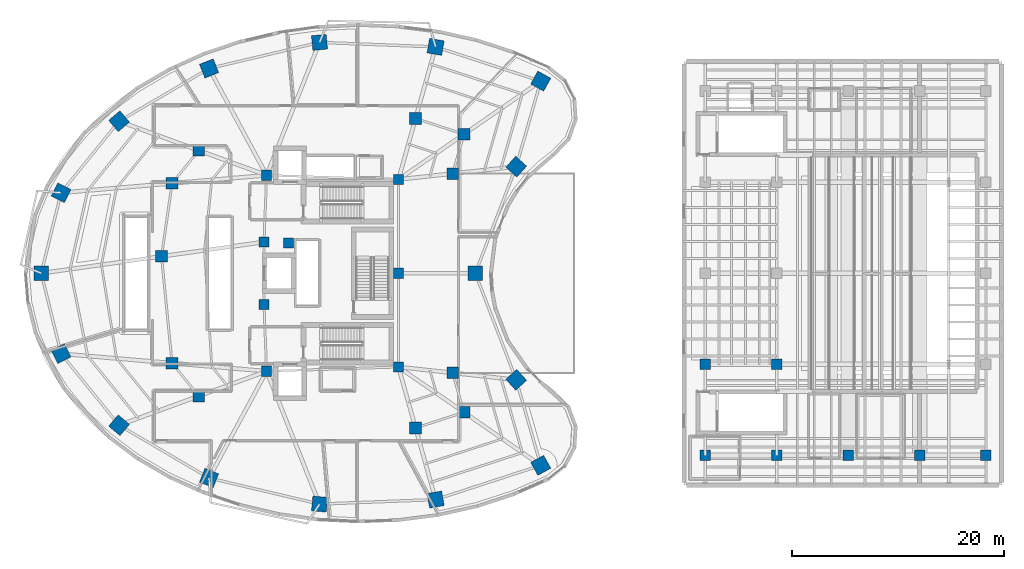
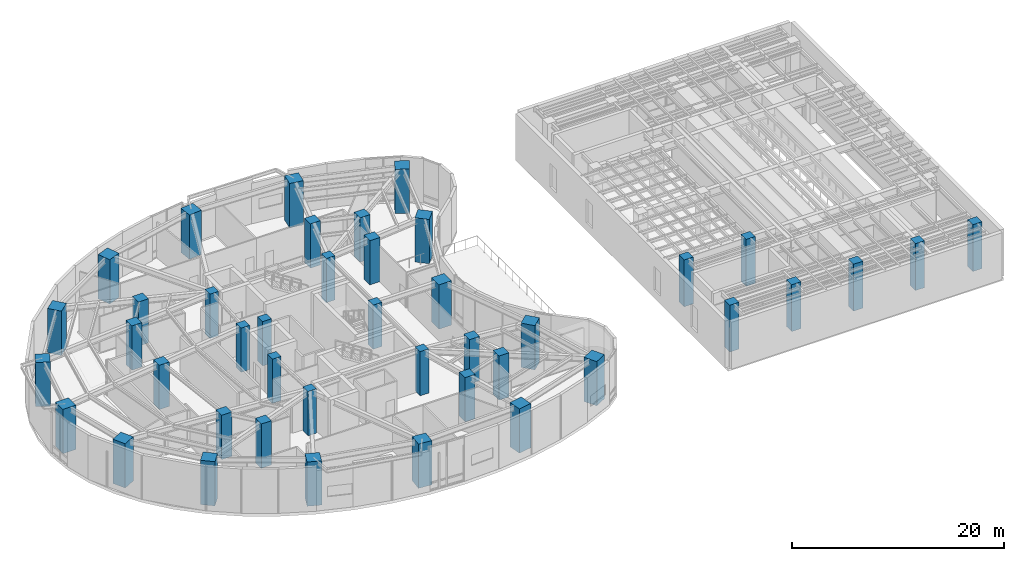
# One storey, part 1 of 19: 42 columns.
"""IFC4 building model written with IfcOpenShell, lengths in metres."""

from ifc_helpers import new_model, si_unit, direction, frame, origin, origin_2d, place, context, subcontext, project, spatial, rectangle, extrude, material, material_profile, profile_set, type_object, element, save


model = new_model("IFC4")

# Units and contexts
model_context = context("Model", 3, precision=1e-05, world=origin(), true_north=direction((0.0, 1.0)))
body_context = subcontext(model_context, "Body", "Model", "MODEL_VIEW")
ifc_project = project(units=[si_unit("LENGTHUNIT", "METRE"), si_unit("AREAUNIT", "SQUARE_METRE"), si_unit("VOLUMEUNIT", "CUBIC_METRE"), si_unit("PLANEANGLEUNIT", "RADIAN"), si_unit("MASSUNIT", "GRAM", prefix="KILO")], contexts=[model_context])

# Site, building, storey
site_placement = place(None, origin())
site = spatial("IfcSite", under=ifc_project, at=site_placement, CompositionType="ELEMENT")
building_placement = place(site_placement, origin())
building = spatial("IfcBuilding", under=site, at=building_placement, Name="Korentha Bioscience Tower", CompositionType="ELEMENT")
storey_placement = place(building_placement, frame((0.0, 0.0, 20.39990234375)))
storey = spatial("IfcBuildingStorey", under=building, at=storey_placement, Name="L04", CompositionType="ELEMENT", Elevation=20.39990234375)

# Columns
ifc_material_1 = material(Name="Concrete C65", Category="concrete")
ifc_material_profile_1 = material_profile(ifc_material_1, rectangle(XDim=0.949951171875, YDim=0.949951171875, at=origin_2d()), Name="Concrete C65")
ifc_profile_set_1 = profile_set([ifc_material_profile_1], Name="Concrete C65 (COL-CP09)")
column_type_1 = type_object("IfcColumnType", Name="Core Pilaster Column RC 950x950", PredefinedType="PILASTER", material=ifc_profile_set_1)
for number, where, z_axis, x_axis, name in (
    (1, (37.550048828125, 35.85009765625, -0.00048828125), (0.0, 0.0, 1.0), (1.0, 0.0, 0.0), "L04 Core Pilaster CP-01"),
    (2, (25.10009765625, 36.25, -0.00048828125), (0.0, 0.0, 1.0), (1.0, 0.0, 0.0), "L04 Core Pilaster CP-02"),
    (3, (24.85009765625, 29.949951171875, -0.00048828125), (0.0, 0.0, 1.0), (1.0, 0.0, 0.0), "L04 Core Pilaster CP-03"),
    (4, (27.14990234375, 29.85009765625, -0.00048828125), (0.0, 0.0, 1.0), (1.0, 0.0, 0.0), "L04 Core Pilaster CP-04"),
    (5, (24.85009765625, 24.050048828125, -0.00048828125), (0.0, 0.0, 1.0), (1.0, 0.0, 0.0), "L04 Core Pilaster CP-05"),
    (6, (25.10009765625, 17.75, -0.00048828125), (0.0, 0.0, 1.0), (1.0, 0.0, 0.0), "L04 Core Pilaster CP-06"),
    (7, (37.550048828125, 18.14990234375, -0.00048828125), (0.0, 0.0, 1.0), (1.0, 0.0, 0.0), "L04 Core Pilaster CP-07"),
    (8, (37.550048828125, 27.0, -0.00048828125), (0.0, 0.0, 1.0), (1.0, 0.0, 0.0), "L04 Core Pilaster CP-08"),
):
    element("IfcColumn", number, at=place(storey_placement, frame(where, z_axis=z_axis, x_axis=x_axis)), inside=storey, type_object=column_type_1, Name=name, PredefinedType="PILASTER", context=body_context, shape_type="SweptSolid", body=[
        extrude(rectangle(XDim=0.949951171875, YDim=0.949951171875, at=origin_2d()), origin(), (0.0, 0.0, 1.0), 5.10107421875),
    ])
ifc_material_2 = material(Name="Concrete C80", Category="concrete")
ifc_material_profile_2 = material_profile(ifc_material_2, rectangle(XDim=1.10009765625, YDim=1.10009765625, at=origin_2d()), Name="Concrete C80")
ifc_profile_set_2 = profile_set([ifc_material_profile_2], Name="Concrete C80 (COL-MR11)")
column_type_2 = type_object("IfcColumnType", Name="Mid-Ring Lab Column RC 1100x1100", PredefinedType="COLUMN", material=ifc_profile_set_2)
for number, where, z_axis, x_axis, name in (
    (9, (43.7265625, 40.121337890625, -0.00048828125), (0.0, 0.0, 1.0), (1.0, 0.0, 0.0), "L04 Mid-Ring Column 01"),
    (10, (39.1611328125, 41.607666015625, -0.00048828125), (0.0, 0.0, 1.0), (1.0, 0.0, 0.0), "L04 Mid-Ring Column 02"),
    (11, (18.692138671875, 38.5947265625, -0.00048828125), (0.0, 0.0, 1.0), (1.0, 0.0, 0.0), "L04 Mid-Ring Column 05"),
    (12, (16.174072265625, 35.489013671875, -0.00048828125), (0.0, 0.0, 1.0), (1.0, 0.0, 0.0), "L04 Mid-Ring Column 06"),
    (13, (15.1787109375, 28.593505859375, -0.00048828125), (0.0, 0.0, 1.0), (1.0, 0.0, 0.0), "L04 Mid-Ring Column 07"),
    (14, (16.174072265625, 18.510986328125, -0.00048828125), (0.0, 0.0, 1.0), (1.0, 0.0, 0.0), "L04 Mid-Ring Column 08"),
    (15, (18.692138671875, 15.4052734375, -0.00048828125), (0.0, 0.0, 1.0), (1.0, 0.0, 0.0), "L04 Mid-Ring Column 09"),
    (16, (39.1611328125, 12.392333984375, -0.00048828125), (0.0, 0.0, 1.0), (1.0, 0.0, 0.0), "L04 Mid-Ring Column 12"),
    (17, (43.7265625, 13.878662109375, -0.00048828125), (0.0, 0.0, 1.0), (1.0, 0.0, 0.0), "L04 Mid-Ring Column 13"),
    (18, (42.66162109375, 17.593017578125, -0.00048828125), (0.0, 0.0, 1.0), (1.0, 0.0, 0.0), "L04 Mid-Ring Column 14"),
    (19, (42.66162109375, 36.406982421875, -0.00048828125), (0.0, 0.0, 1.0), (1.0, 0.0, 0.0), "L04 Mid-Ring Column 16"),
):
    element("IfcColumn", number, at=place(storey_placement, frame(where, z_axis=z_axis, x_axis=x_axis)), inside=storey, type_object=column_type_2, Name=name, PredefinedType="COLUMN", context=body_context, shape_type="SweptSolid", body=[
        extrude(rectangle(XDim=1.10009765625, YDim=1.10009765625, at=origin_2d()), origin(), (0.0, 0.0, 1.0), 5.10107421875),
    ])
ifc_material_profile_3 = material_profile(ifc_material_2, rectangle(XDim=1.39990234375, YDim=1.39990234375, at=origin_2d()), Name="Concrete C80")
ifc_profile_set_3 = profile_set([ifc_material_profile_3], Name="Concrete C80 (COL-P14)")
column_type_3 = type_object("IfcColumnType", Name="Perimeter Column RC 1400x1400", PredefinedType="COLUMN", material=ifc_profile_set_3)
for number, where, z_axis, x_axis, name in (
    (20, (50.977294921875, 45.135498046875, -0.00048828125), (0.0, 0.0, 1.0), (-0.874535078577, 0.484962262797, 0.0), "L04 Perimeter Column 01"),
    (21, (41.052490234375, 48.36669921875, -0.00048828125), (0.0, 0.0, 1.0), (-0.984868307662, 0.173304404339, 0.0), "L04 Perimeter Column 02"),
    (22, (30.09423828125, 48.79248046875, -0.00048828125), (0.0, 0.0, 1.0), (0.995462868748, 0.095150811579, 0.0), "L04 Perimeter Column 03"),
    (23, (19.66650390625, 46.328857421875, -0.00048828125), (0.0, 0.0, 1.0), (0.930225540858, 0.366988341962, 0.0), "L04 Perimeter Column 04"),
    (24, (11.169921875, 41.34716796875, -0.00048828125), (0.0, 0.0, 1.0), (0.764246456939, 0.644924300253, 0.0), "L04 Perimeter Column 05"),
    (25, (5.69580078125, 34.595703125, -0.00048828125), (0.0, 0.0, 1.0), (0.453057191132, 0.891481453292, 0.0), "L04 Perimeter Column 06"),
    (26, (3.825439453125, 27.000732421875, -0.00048828125), (0.0, 0.0, 1.0), (0.0, 1.0, 0.0), "L04 Perimeter Column 07"),
    (27, (5.69580078125, 19.404296875, -0.00048828125), (0.0, 0.0, 1.0), (-0.453057191132, 0.891481453292, 0.0), "L04 Perimeter Column 08"),
    (28, (11.169921875, 12.65283203125, -0.00048828125), (0.0, 0.0, 1.0), (-0.764246456939, 0.644924300253, 0.0), "L04 Perimeter Column 09"),
    (29, (19.66650390625, 7.671142578125, -0.00048828125), (0.0, 0.0, 1.0), (-0.930225540858, 0.366988341962, 0.0), "L04 Perimeter Column 10"),
    (30, (30.09423828125, 5.20751953125, -0.00048828125), (0.0, 0.0, 1.0), (-0.995462868748, 0.095150811579, 0.0), "L04 Perimeter Column 11"),
    (31, (41.052490234375, 5.63330078125, -0.00048828125), (0.0, 0.0, 1.0), (0.984868307662, 0.173304404339, 0.0), "L04 Perimeter Column 12"),
    (32, (50.977294921875, 8.864501953125, -0.00048828125), (0.0, 0.0, 1.0), (0.874535078577, 0.484962262797, 0.0), "L04 Perimeter Column 13"),
    (33, (48.661865234375, 16.939208984375, -0.00048828125), (0.0, 0.0, 1.0), (-0.669130606359, 0.743144825477, 0.0), "L04 Perimeter Column 14"),
    (34, (44.798583984375, 27.0, -0.00048828125), (0.0, 0.0, 1.0), (0.0, 1.0, 0.0), "L04 Perimeter Column 15"),
    (35, (48.661865234375, 37.060791015625, -0.00048828125), (0.0, 0.0, 1.0), (0.669130606359, 0.743144825477, 0.0), "L04 Perimeter Column 16"),
):
    element("IfcColumn", number, at=place(storey_placement, frame(where, z_axis=z_axis, x_axis=x_axis)), inside=storey, type_object=column_type_3, Name=name, PredefinedType="COLUMN", context=body_context, shape_type="SweptSolid", body=[
        extrude(rectangle(XDim=1.39990234375, YDim=1.39990234375, at=origin_2d()), origin(), (0.0, 0.0, 1.0), 5.10107421875),
    ])
ifc_material_3 = material(Name="Concrete C50", Category="concrete")
ifc_material_profile_4 = material_profile(ifc_material_3, rectangle(XDim=1.0, YDim=1.0, at=origin_2d()), Name="Concrete C50")
ifc_profile_set_4 = profile_set([ifc_material_profile_4], Name="Concrete C50 (TC-I01)")
column_type_4 = type_object("IfcColumnType", Name="Theatre Interior Column RC 1000x1000", PredefinedType="COLUMN", material=ifc_profile_set_4)
column_placement = place(storey_placement, frame((73.25, 18.39990234375, 0.0), z_axis=(0.0, 0.0, 1.0), x_axis=(1.0, 0.0, 0.0)))
element("IfcColumn", 36, at=column_placement, inside=storey, type_object=column_type_4, Name="L04 Theatre Column 2-2", PredefinedType="COLUMN", context=body_context, shape_type="SweptSolid", body=[
    extrude(rectangle(XDim=1.0, YDim=1.0, at=origin_2d()), origin(), (0.0, 0.0, 1.0), 5.400146484375),
])
ifc_material_profile_5 = material_profile(ifc_material_3, rectangle(XDim=1.0, YDim=1.0, at=origin_2d()), Name="Concrete C50")
ifc_profile_set_5 = profile_set([ifc_material_profile_5], Name="Concrete C50 (TC-01)")
column_type_5 = type_object("IfcColumnType", Name="Theatre Primary Column RC 1000x1000", PredefinedType="COLUMN", material=ifc_profile_set_5)
for number, where, z_axis, x_axis, name in (
    (37, (66.5, 9.800048828125, 0.0), (0.0, 0.0, 1.0), (1.0, 0.0, 0.0), "L04 Theatre Column 1-1"),
    (38, (66.5, 18.39990234375, 0.0), (0.0, 0.0, 1.0), (1.0, 0.0, 0.0), "L04 Theatre Column 1-2"),
    (39, (73.25, 9.800048828125, 0.0), (0.0, 0.0, 1.0), (1.0, 0.0, 0.0), "L04 Theatre Column 2-1"),
    (40, (80.0, 9.800048828125, 0.0), (0.0, 0.0, 1.0), (1.0, 0.0, 0.0), "L04 Theatre Column 3-1"),
    (41, (86.75, 9.800048828125, 0.0), (0.0, 0.0, 1.0), (1.0, 0.0, 0.0), "L04 Theatre Column 4-1"),
    (42, (93.0, 9.800048828125, 0.0), (0.0, 0.0, 1.0), (1.0, 0.0, 0.0), "L04 Theatre Column 5-1"),
):
    element("IfcColumn", number, at=place(storey_placement, frame(where, z_axis=z_axis, x_axis=x_axis)), inside=storey, type_object=column_type_5, Name=name, PredefinedType="COLUMN", context=body_context, shape_type="SweptSolid", body=[
        extrude(rectangle(XDim=1.0, YDim=1.0, at=origin_2d()), origin(), (0.0, 0.0, 1.0), 5.400146484375),
    ])

save(model, "model.ifc")
